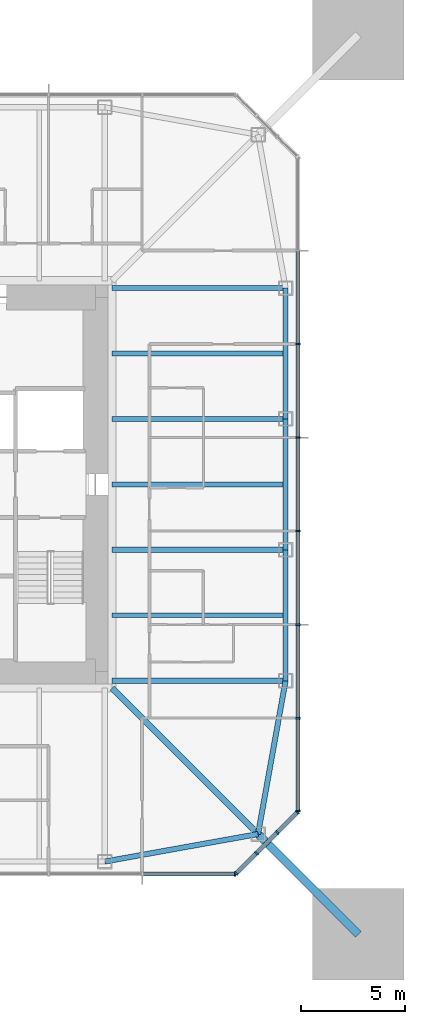
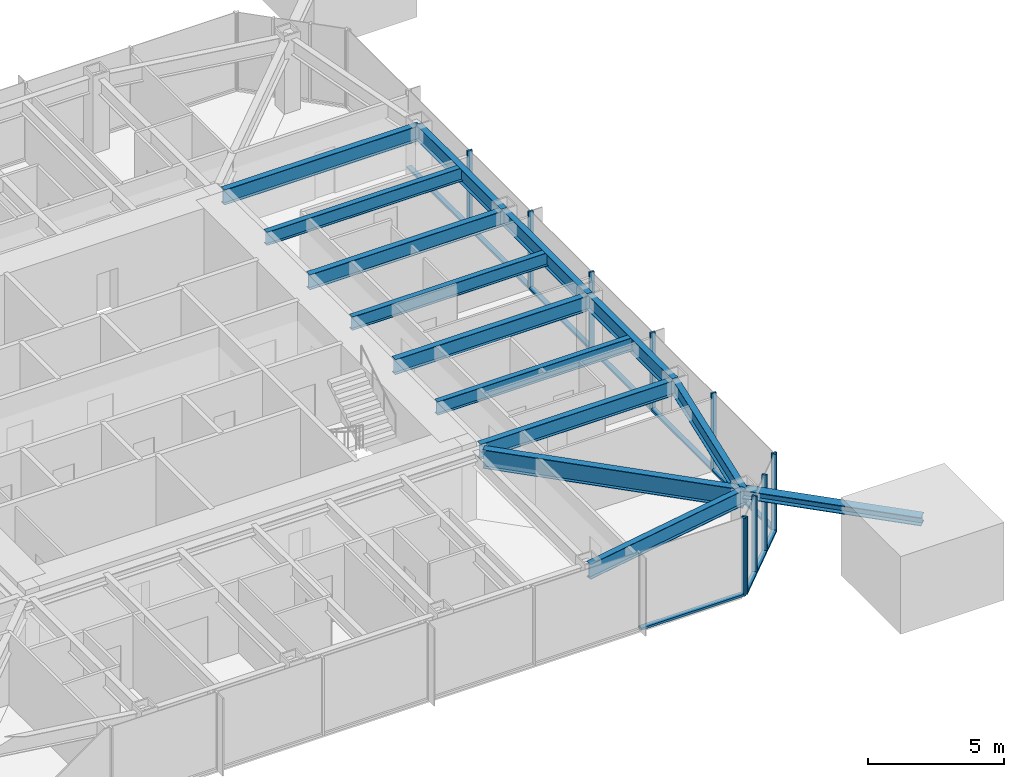
# One storey, part 3 of 12: 22 members, 13 beams, 3 elements without a shape of their own.
"""IFC4 building model written with IfcOpenShell, lengths in metres."""

from ifc_helpers import new_model, si_unit, direction, frame, origin, origin_2d, place, context, subcontext, project, spatial, rectangle, i_section, extrude, material, material_profile, profile_set, type_object, element, aggregate, save


model = new_model("IFC4")

# Units and contexts
model_context = context("Model", 3, precision=1e-05, world=origin(), true_north=direction((0.0, 1.0)))
body_context = subcontext(model_context, "Body", "Model", "MODEL_VIEW")
ifc_project = project(units=[si_unit("LENGTHUNIT", "METRE"), si_unit("AREAUNIT", "SQUARE_METRE"), si_unit("VOLUMEUNIT", "CUBIC_METRE"), si_unit("PLANEANGLEUNIT", "RADIAN"), si_unit("MASSUNIT", "GRAM", prefix="KILO")], contexts=[model_context])

# Site, building, storey
site_placement = place(None, origin())
site = spatial("IfcSite", under=ifc_project, at=site_placement, CompositionType="ELEMENT")
building_placement = place(site_placement, origin())
building = spatial("IfcBuilding", under=site, at=building_placement, Name="Iwan Alto Co-Living Towers", CompositionType="ELEMENT")
storey_placement = place(building_placement, frame((0.0, 0.0, 153.0)))
storey = spatial("IfcBuildingStorey", under=building, at=storey_placement, Name="L41", CompositionType="ELEMENT", Elevation=153.0)

# Curtain wall, member
ifc_material_1 = material(Name="Bronze aluminium unitised frame", Category="aluminium")
curtain_wall_type_1 = type_object("IfcCurtainWallType", Name="CURTAIN WALL CW-A", PredefinedType="NOTDEFINED", material=ifc_material_1)
curtain_wall_1_placement = place(storey_placement, origin())
curtain_wall_1 = element("IfcCurtainWall", 1, at=curtain_wall_1_placement, inside=storey, type_object=curtain_wall_type_1, Name="T1 curtain wall S L41", PredefinedType="NOTDEFINED")
ifc_material_2 = material(Name="Aluminium 6063-T6 bronze anodised", Category="aluminium")
ifc_material_profile_1 = material_profile(ifc_material_2, rectangle(XDim=0.199951171875, YDim=0.080078125, at=origin_2d()), Name="AL 80X200")
ifc_profile_set_1 = profile_set([ifc_material_profile_1], Name="Aluminium 6063-T6 bronze anodised")
member_type_1 = type_object("IfcMemberType", Name="CW-A MULLION 80X200", PredefinedType="MULLION", material=ifc_profile_set_1)
member_1_placement = place(storey_placement, frame((15.7099609375, -18.75, 0.0), z_axis=(0.0, 0.0, 1.0), x_axis=(0.0, 1.0, 0.0)))
member_1 = element("IfcMember", 2, at=member_1_placement, type_object=member_type_1, Name="CW-A mullion 8", PredefinedType="MULLION", context=body_context, shape_type="SweptSolid", body=[
    extrude(rectangle(XDim=0.199951171875, YDim=0.080078125, at=origin_2d()), origin(), (0.0, 0.0, 1.0), 3.5),
])

# Curtain wall, members
curtain_wall_2_placement = place(storey_placement, origin())
curtain_wall_2 = element("IfcCurtainWall", 3, at=curtain_wall_2_placement, inside=storey, type_object=curtain_wall_type_1, Name="T1 curtain wall E L41", PredefinedType="NOTDEFINED")
member_2_placement = place(storey_placement, frame((18.75, -15.7099609375, 0.0), z_axis=(0.0, 0.0, 1.0), x_axis=(-1.0, 0.0, 0.0)))
member_2 = element("IfcMember", 4, at=member_2_placement, type_object=member_type_1, Name="CW-A mullion 1", PredefinedType="MULLION", context=body_context, shape_type="SweptSolid", body=[
    extrude(rectangle(XDim=0.199951171875, YDim=0.080078125, at=origin_2d()), origin(), (0.0, 0.0, 1.0), 3.5),
])
member_3_placement = place(storey_placement, frame((18.75, -11.25, 0.0), z_axis=(0.0, 0.0, 1.0), x_axis=(-1.0, 0.0, 0.0)))
member_3 = element("IfcMember", 5, at=member_3_placement, type_object=member_type_1, Name="CW-A mullion 2", PredefinedType="MULLION", context=body_context, shape_type="SweptSolid", body=[
    extrude(rectangle(XDim=0.199951171875, YDim=0.080078125, at=origin_2d()), origin(), (0.0, 0.0, 1.0), 3.5),
])
member_4_placement = place(storey_placement, frame((18.75, -6.75, 0.0), z_axis=(0.0, 0.0, 1.0), x_axis=(-1.0, 0.0, 0.0)))
member_4 = element("IfcMember", 6, at=member_4_placement, type_object=member_type_1, Name="CW-A mullion 3", PredefinedType="MULLION", context=body_context, shape_type="SweptSolid", body=[
    extrude(rectangle(XDim=0.199951171875, YDim=0.080078125, at=origin_2d()), origin(), (0.0, 0.0, 1.0), 3.5),
])
member_5_placement = place(storey_placement, frame((18.75, -2.25, 0.0), z_axis=(0.0, 0.0, 1.0), x_axis=(-1.0, 0.0, 0.0)))
member_5 = element("IfcMember", 7, at=member_5_placement, type_object=member_type_1, Name="CW-A mullion 4", PredefinedType="MULLION", context=body_context, shape_type="SweptSolid", body=[
    extrude(rectangle(XDim=0.199951171875, YDim=0.080078125, at=origin_2d()), origin(), (0.0, 0.0, 1.0), 3.5),
])
member_6_placement = place(storey_placement, frame((18.75, 2.25, 0.0), z_axis=(0.0, 0.0, 1.0), x_axis=(-1.0, 0.0, 0.0)))
member_6 = element("IfcMember", 8, at=member_6_placement, type_object=member_type_1, Name="CW-A mullion 5", PredefinedType="MULLION", context=body_context, shape_type="SweptSolid", body=[
    extrude(rectangle(XDim=0.199951171875, YDim=0.080078125, at=origin_2d()), origin(), (0.0, 0.0, 1.0), 3.5),
])
member_7_placement = place(storey_placement, frame((18.75, 6.75, 0.0), z_axis=(0.0, 0.0, 1.0), x_axis=(-1.0, 0.0, 0.0)))
member_7 = element("IfcMember", 9, at=member_7_placement, type_object=member_type_1, Name="CW-A mullion 6", PredefinedType="MULLION", context=body_context, shape_type="SweptSolid", body=[
    extrude(rectangle(XDim=0.199951171875, YDim=0.080078125, at=origin_2d()), origin(), (0.0, 0.0, 1.0), 3.5),
])

# Member
ifc_material_3 = material(Name="Aluminium 6063-T6 bronze anodised", Category="aluminium")
ifc_material_profile_2 = material_profile(ifc_material_3, rectangle(XDim=0.199951171875, YDim=0.10009765625, at=origin_2d()), Name="AL 200X100")
ifc_profile_set_2 = profile_set([ifc_material_profile_2], Name="Aluminium 6063-T6 bronze anodised")
member_type_2 = type_object("IfcMemberType", Name="CW-A TRANSOM 200X100", PredefinedType="USERDEFINED", material=ifc_profile_set_2)
member_8_placement = place(storey_placement, frame((11.2900390625, -18.75, 0.050048828125), z_axis=(1.0, 0.0, 0.0), x_axis=(0.0, 1.0, 0.0)))
member_8 = element("IfcMember", 10, at=member_8_placement, type_object=member_type_2, Name="CW-A transom 7.1", ObjectType="TRANSOM", PredefinedType="USERDEFINED", context=body_context, shape_type="SweptSolid", body=[
    extrude(rectangle(XDim=0.199951171875, YDim=0.10009765625, at=origin_2d()), origin(), (0.0, 0.0, 1.0), 4.3798828125),
])

aggregate(curtain_wall_1, [member_1, member_8])

member_9_placement = place(storey_placement, frame((18.75, -15.669921875, 0.050048828125), z_axis=(0.0, 1.0, 0.0), x_axis=(-1.0, 0.0, 0.0)))
member_9 = element("IfcMember", 11, at=member_9_placement, type_object=member_type_2, Name="CW-A transom 1.1", ObjectType="TRANSOM", PredefinedType="USERDEFINED", context=body_context, shape_type="SweptSolid", body=[
    extrude(rectangle(XDim=0.199951171875, YDim=0.10009765625, at=origin_2d()), origin(), (0.0, 0.0, 1.0), 4.3798828125),
])

member_10_placement = place(storey_placement, frame((18.75, -11.2099609375, 0.050048828125), z_axis=(0.0, 1.0, 0.0), x_axis=(-1.0, 0.0, 0.0)))
member_10 = element("IfcMember", 12, at=member_10_placement, type_object=member_type_2, Name="CW-A transom 2.1", ObjectType="TRANSOM", PredefinedType="USERDEFINED", context=body_context, shape_type="SweptSolid", body=[
    extrude(rectangle(XDim=0.199951171875, YDim=0.10009765625, at=origin_2d()), origin(), (0.0, 0.0, 1.0), 4.419921875),
])

member_11_placement = place(storey_placement, frame((18.75, -6.7099609375, 0.050048828125), z_axis=(0.0, 1.0, 0.0), x_axis=(-1.0, 0.0, 0.0)))
member_11 = element("IfcMember", 13, at=member_11_placement, type_object=member_type_2, Name="CW-A transom 3.1", ObjectType="TRANSOM", PredefinedType="USERDEFINED", context=body_context, shape_type="SweptSolid", body=[
    extrude(rectangle(XDim=0.199951171875, YDim=0.10009765625, at=origin_2d()), origin(), (0.0, 0.0, 1.0), 4.419921875),
])

member_12_placement = place(storey_placement, frame((18.75, -2.2099609375, 0.050048828125), z_axis=(0.0, 1.0, 0.0), x_axis=(-1.0, 0.0, 0.0)))
member_12 = element("IfcMember", 14, at=member_12_placement, type_object=member_type_2, Name="CW-A transom 4.1", ObjectType="TRANSOM", PredefinedType="USERDEFINED", context=body_context, shape_type="SweptSolid", body=[
    extrude(rectangle(XDim=0.199951171875, YDim=0.10009765625, at=origin_2d()), origin(), (0.0, 0.0, 1.0), 4.419921875),
])

member_13_placement = place(storey_placement, frame((18.75, 2.2900390625, 0.050048828125), z_axis=(0.0, 1.0, 0.0), x_axis=(-1.0, 0.0, 0.0)))
member_13 = element("IfcMember", 15, at=member_13_placement, type_object=member_type_2, Name="CW-A transom 5.1", ObjectType="TRANSOM", PredefinedType="USERDEFINED", context=body_context, shape_type="SweptSolid", body=[
    extrude(rectangle(XDim=0.199951171875, YDim=0.10009765625, at=origin_2d()), origin(), (0.0, 0.0, 1.0), 4.419921875),
])

member_14_placement = place(storey_placement, frame((18.75, 6.7900390625, 0.050048828125), z_axis=(0.0, 1.0, 0.0), x_axis=(-1.0, 0.0, 0.0)))
member_14 = element("IfcMember", 16, at=member_14_placement, type_object=member_type_2, Name="CW-A transom 6.1", ObjectType="TRANSOM", PredefinedType="USERDEFINED", context=body_context, shape_type="SweptSolid", body=[
    extrude(rectangle(XDim=0.199951171875, YDim=0.10009765625, at=origin_2d()), origin(), (0.0, 0.0, 1.0), 4.419921875),
])

aggregate(curtain_wall_2, [member_2, member_3, member_4, member_5, member_6, member_7, member_9, member_10, member_11, member_12, member_13, member_14])

# Curtain wall, members
ifc_material_4 = material(Name="Bronze aluminium unitised frame", Category="aluminium")
curtain_wall_type_2 = type_object("IfcCurtainWallType", Name="CURTAIN WALL CW-B", PredefinedType="NOTDEFINED", material=ifc_material_4)
curtain_wall_3_placement = place(storey_placement, origin())
curtain_wall_3 = element("IfcCurtainWall", 17, at=curtain_wall_3_placement, inside=storey, type_object=curtain_wall_type_2, Name="T1 chamfer curtain wall SE L41", PredefinedType="NOTDEFINED")
ifc_material_5 = material(Name="Aluminium 6063-T6 bronze anodised", Category="aluminium")
ifc_material_profile_3 = material_profile(ifc_material_5, rectangle(XDim=0.199951171875, YDim=0.080078125, at=origin_2d()), Name="AL 80X200")
ifc_profile_set_3 = profile_set([ifc_material_profile_3], Name="Aluminium 6063-T6 bronze anodised")
member_type_3 = type_object("IfcMemberType", Name="CW-B MULLION 80X200", PredefinedType="MULLION", material=ifc_profile_set_3)
member_15_placement = place(storey_placement, frame((15.7783203125, -18.7216796875, 0.0), z_axis=(0.0, 0.0, 1.0), x_axis=(-0.707106781187, 0.707106781187, 0.0)))
member_15 = element("IfcMember", 18, at=member_15_placement, type_object=member_type_3, Name="CW-B mullion 1", PredefinedType="MULLION", context=body_context, shape_type="SweptSolid", body=[
    extrude(rectangle(XDim=0.199951171875, YDim=0.080078125, at=origin_2d()), origin(), (0.0, 0.0, 1.0), 3.5),
])
member_16_placement = place(storey_placement, frame((16.75, -17.75, 0.0), z_axis=(0.0, 0.0, 1.0), x_axis=(-0.707106781187, 0.707106781187, 0.0)))
member_16 = element("IfcMember", 19, at=member_16_placement, type_object=member_type_3, Name="CW-B mullion 2", PredefinedType="MULLION", context=body_context, shape_type="SweptSolid", body=[
    extrude(rectangle(XDim=0.199951171875, YDim=0.080078125, at=origin_2d()), origin(), (0.0, 0.0, 1.0), 3.5),
])
member_17_placement = place(storey_placement, frame((17.75, -16.75, 0.0), z_axis=(0.0, 0.0, 1.0), x_axis=(-0.707106781187, 0.707106781187, 0.0)))
member_17 = element("IfcMember", 20, at=member_17_placement, type_object=member_type_3, Name="CW-B mullion 3", PredefinedType="MULLION", context=body_context, shape_type="SweptSolid", body=[
    extrude(rectangle(XDim=0.199951171875, YDim=0.080078125, at=origin_2d()), origin(), (0.0, 0.0, 1.0), 3.5),
])
member_18_placement = place(storey_placement, frame((18.7216796875, -15.7783203125, 0.0), z_axis=(0.0, 0.0, 1.0), x_axis=(-0.707106781187, 0.707106781187, 0.0)))
member_18 = element("IfcMember", 21, at=member_18_placement, type_object=member_type_3, Name="CW-B mullion 4", PredefinedType="MULLION", context=body_context, shape_type="SweptSolid", body=[
    extrude(rectangle(XDim=0.199951171875, YDim=0.080078125, at=origin_2d()), origin(), (0.0, 0.0, 1.0), 3.5),
])
ifc_material_6 = material(Name="Aluminium 6063-T6 bronze anodised", Category="aluminium")
ifc_material_profile_4 = material_profile(ifc_material_6, rectangle(XDim=0.199951171875, YDim=0.10009765625, at=origin_2d()), Name="AL 200X100")
ifc_profile_set_4 = profile_set([ifc_material_profile_4], Name="Aluminium 6063-T6 bronze anodised")
member_type_4 = type_object("IfcMemberType", Name="CW-B TRANSOM 200X100", PredefinedType="USERDEFINED", material=ifc_profile_set_4)
member_19_placement = place(storey_placement, frame((15.806640625, -18.693359375, 0.050048828125), z_axis=(0.707106781187, 0.707106781187, 0.0), x_axis=(-0.707106781187, 0.707106781187, 0.0)))
member_19 = element("IfcMember", 22, at=member_19_placement, type_object=member_type_4, Name="CW-B transom 1.1", ObjectType="TRANSOM", PredefinedType="USERDEFINED", context=body_context, shape_type="SweptSolid", body=[
    extrude(rectangle(XDim=0.199951171875, YDim=0.10009765625, at=origin_2d()), origin(), (0.0, 0.0, 1.0), 1.2939453125),
])
member_20_placement = place(storey_placement, frame((16.7783203125, -17.7216796875, 0.050048828125), z_axis=(0.707106781187, 0.707106781187, 0.0), x_axis=(-0.707106781187, 0.707106781187, 0.0)))
member_20 = element("IfcMember", 23, at=member_20_placement, type_object=member_type_4, Name="CW-B transom 2.1", ObjectType="TRANSOM", PredefinedType="USERDEFINED", context=body_context, shape_type="SweptSolid", body=[
    extrude(rectangle(XDim=0.199951171875, YDim=0.10009765625, at=origin_2d()), origin(), (0.0, 0.0, 1.0), 1.334228515625),
])
member_21_placement = place(storey_placement, frame((17.7783203125, -16.7216796875, 0.050048828125), z_axis=(0.707106781187, 0.707106781187, 0.0), x_axis=(-0.707106781187, 0.707106781187, 0.0)))
member_21 = element("IfcMember", 24, at=member_21_placement, type_object=member_type_4, Name="CW-B transom 3.1", ObjectType="TRANSOM", PredefinedType="USERDEFINED", context=body_context, shape_type="SweptSolid", body=[
    extrude(rectangle(XDim=0.199951171875, YDim=0.10009765625, at=origin_2d()), origin(), (0.0, 0.0, 1.0), 1.2939453125),
])
aggregate(curtain_wall_3, [member_15, member_16, member_17, member_18, member_19, member_20, member_21])

# Beams
ifc_material_7 = material(Name="Steel ASTM A992 Gr 50", Category="steel")
ifc_material_profile_5 = material_profile(ifc_material_7, i_section(OverallWidth=0.2919921875, OverallDepth=0.8408203125, WebThickness=0.0146484375, FlangeThickness=0.021728515625, at=origin_2d()), Name="W33X130")
ifc_profile_set_5 = profile_set([ifc_material_profile_5], Name="Steel ASTM A992 Gr 50")
beam_type_1 = type_object("IfcBeamType", Name="T1 CORNER GIRDER W33X130", PredefinedType="BEAM", material=ifc_profile_set_5)
beam_1_placement = place(storey_placement, frame((16.82568359375, -16.82568359375, 2.849609375), z_axis=(-0.707106781187, 0.707106781187, 0.0), x_axis=(-0.707106781187, -0.707106781187, 0.0)))
element("IfcBeam", 25, at=beam_1_placement, inside=storey, type_object=beam_type_1, Name="T1 corner girder CSE L42", PredefinedType="BEAM", context=body_context, shape_type="SweptSolid", body=[
    extrude(i_section(OverallWidth=0.2919921875, OverallDepth=0.8408203125, WebThickness=0.0146484375, FlangeThickness=0.021728515625, at=origin_2d()), origin(), (0.0, 0.0, 1.0), 9.936767578125),
])
ifc_material_8 = material(Name="Steel ASTM A992 Gr 50", Category="steel")
ifc_material_profile_6 = material_profile(ifc_material_8, i_section(OverallWidth=0.25390625, OverallDepth=0.683349609375, WebThickness=0.012451171875, FlangeThickness=0.018798828125, at=origin_2d()), Name="W27X94")
ifc_profile_set_6 = profile_set([ifc_material_profile_6], Name="Steel ASTM A992 Gr 50")
beam_type_2 = type_object("IfcBeamType", Name="T1 EDGE BEAM W27X94", PredefinedType="BEAM", material=ifc_profile_set_6)
for number, where, z_axis, x_axis, name in (
    (26, (9.449951171875, -18.14990234375, 2.928466796875), (0.98426263553, 0.17671181143, 0.0), (-0.17671181143, 0.98426263553, 0.0), "T1 edge beam S4 L42"),
    (27, (16.82568359375, -16.82568359375, 2.928466796875), (0.17671181143, 0.98426263553, 0.0), (-0.98426263553, 0.17671181143, 0.0), "T1 edge beam CSE L42"),
):
    element("IfcBeam", number, at=place(storey_placement, frame(where, z_axis=z_axis, x_axis=x_axis)), inside=storey, type_object=beam_type_2, Name=name, PredefinedType="BEAM", context=body_context, shape_type="SweptSolid", body=[
        extrude(i_section(OverallWidth=0.25390625, OverallDepth=0.683349609375, WebThickness=0.012451171875, FlangeThickness=0.018798828125, at=origin_2d()), origin(), (0.0, 0.0, 1.0), 7.49365234375),
    ])
beam_2_placement = place(storey_placement, frame((18.14990234375, -9.449951171875, 2.928466796875), z_axis=(0.0, 1.0, 0.0), x_axis=(-1.0, 0.0, 0.0)))
element("IfcBeam", 28, at=beam_2_placement, inside=storey, type_object=beam_type_2, Name="T1 edge beam E1 L42", PredefinedType="BEAM", context=body_context, shape_type="SweptSolid", body=[
    extrude(i_section(OverallWidth=0.25390625, OverallDepth=0.683349609375, WebThickness=0.012451171875, FlangeThickness=0.018798828125, at=origin_2d()), origin(), (0.0, 0.0, 1.0), 6.300048828125),
])
beam_3_placement = place(storey_placement, frame((18.14990234375, -3.14990234375, 2.928466796875), z_axis=(0.0, 1.0, 0.0), x_axis=(-1.0, 0.0, 0.0)))
element("IfcBeam", 29, at=beam_3_placement, inside=storey, type_object=beam_type_2, Name="T1 edge beam E2 L42", PredefinedType="BEAM", context=body_context, shape_type="SweptSolid", body=[
    extrude(i_section(OverallWidth=0.25390625, OverallDepth=0.683349609375, WebThickness=0.012451171875, FlangeThickness=0.018798828125, at=origin_2d()), origin(), (0.0, 0.0, 1.0), 6.2998046875),
])
beam_4_placement = place(storey_placement, frame((18.14990234375, 3.14990234375, 2.928466796875), z_axis=(0.0, 1.0, 0.0), x_axis=(-1.0, 0.0, 0.0)))
element("IfcBeam", 30, at=beam_4_placement, inside=storey, type_object=beam_type_2, Name="T1 edge beam E3 L42", PredefinedType="BEAM", context=body_context, shape_type="SweptSolid", body=[
    extrude(i_section(OverallWidth=0.25390625, OverallDepth=0.683349609375, WebThickness=0.012451171875, FlangeThickness=0.018798828125, at=origin_2d()), origin(), (0.0, 0.0, 1.0), 6.300048828125),
])

# Member
ifc_material_9 = material(Name="Steel ASTM A992 Gr 50", Category="steel")
ifc_material_profile_7 = material_profile(ifc_material_9, i_section(OverallWidth=0.393798828125, OverallDepth=0.3759765625, WebThickness=0.017333984375, FlangeThickness=0.027587890625, at=origin_2d()), Name="W14X145")
ifc_profile_set_7 = profile_set([ifc_material_profile_7], Name="Steel ASTM A992 Gr 50")
member_type_5 = type_object("IfcMemberType", Name="T1 MEGA COLUMN FLOOR TIE W14X145", PredefinedType="STRUT", material=ifc_profile_set_7)
member_22_placement = place(storey_placement, frame((21.64990234375, -21.64990234375, 3.08203125), z_axis=(-0.707106781187, 0.707106781187, 0.0), x_axis=(-0.707106781187, -0.707106781187, 0.0)))
element("IfcMember", 31, at=member_22_placement, inside=storey, type_object=member_type_5, Name="T1 mega column floor tie SE L42", PredefinedType="STRUT", context=body_context, shape_type="SweptSolid", body=[
    extrude(i_section(OverallWidth=0.393798828125, OverallDepth=0.3759765625, WebThickness=0.017333984375, FlangeThickness=0.027587890625, at=origin_2d()), origin(), (0.0, 0.0, 1.0), 6.822509765625),
])

# Beams
ifc_material_10 = material(Name="Steel ASTM A992 Gr 50", Category="steel")
ifc_material_profile_8 = material_profile(ifc_material_10, i_section(OverallWidth=0.25390625, OverallDepth=0.683349609375, WebThickness=0.012451171875, FlangeThickness=0.018798828125, at=origin_2d()), Name="W27X94")
ifc_profile_set_8 = profile_set([ifc_material_profile_8], Name="Steel ASTM A992 Gr 50")
beam_type_3 = type_object("IfcBeamType", Name="T1 RADIAL BEAM W27X94", PredefinedType="BEAM", material=ifc_profile_set_8)
for number, where, z_axis, x_axis, name in (
    (32, (18.14990234375, -9.449951171875, 2.928466796875), (-1.0, 0.0, 0.0), (0.0, -1.0, 0.0), "T1 radial beam E1 L42"),
    (33, (18.14990234375, -3.14990234375, 2.928466796875), (-1.0, 0.0, 0.0), (0.0, -1.0, 0.0), "T1 radial beam E2 L42"),
    (34, (18.14990234375, 3.14990234375, 2.928466796875), (-1.0, 0.0, 0.0), (0.0, -1.0, 0.0), "T1 radial beam E3 L42"),
    (35, (18.14990234375, 9.449951171875, 2.928466796875), (-1.0, 0.0, 0.0), (0.0, -1.0, 0.0), "T1 radial beam E4 L42"),
):
    element("IfcBeam", number, at=place(storey_placement, frame(where, z_axis=z_axis, x_axis=x_axis)), inside=storey, type_object=beam_type_3, Name=name, PredefinedType="BEAM", context=body_context, shape_type="SweptSolid", body=[
        extrude(i_section(OverallWidth=0.25390625, OverallDepth=0.683349609375, WebThickness=0.012451171875, FlangeThickness=0.018798828125, at=origin_2d()), origin(), (0.0, 0.0, 1.0), 8.3505859375),
    ])
ifc_material_11 = material(Name="Steel ASTM A992 Gr 50", Category="steel")
ifc_material_profile_9 = material_profile(ifc_material_11, i_section(OverallWidth=0.228271484375, OverallDepth=0.607177734375, WebThickness=0.01123046875, FlangeThickness=0.017333984375, at=origin_2d()), Name="W24X76")
ifc_profile_set_9 = profile_set([ifc_material_profile_9], Name="Steel ASTM A992 Gr 50")
beam_type_4 = type_object("IfcBeamType", Name="T1 SECONDARY BEAM W24X76", PredefinedType="JOIST", material=ifc_profile_set_9)
for number, where, z_axis, x_axis, name in (
    (36, (18.14990234375, -6.300048828125, 2.966552734375), (-1.0, 0.0, 0.0), (0.0, -1.0, 0.0), "T1 secondary beam E1 L42"),
    (37, (18.14990234375, 0.0, 2.966552734375), (-1.0, 0.0, 0.0), (0.0, -1.0, 0.0), "T1 secondary beam E2 L42"),
    (38, (18.14990234375, 6.300048828125, 2.966552734375), (-1.0, 0.0, 0.0), (0.0, -1.0, 0.0), "T1 secondary beam E3 L42"),
):
    element("IfcBeam", number, at=place(storey_placement, frame(where, z_axis=z_axis, x_axis=x_axis)), inside=storey, type_object=beam_type_4, Name=name, PredefinedType="JOIST", context=body_context, shape_type="SweptSolid", body=[
        extrude(i_section(OverallWidth=0.228271484375, OverallDepth=0.607177734375, WebThickness=0.01123046875, FlangeThickness=0.017333984375, at=origin_2d()), origin(), (0.0, 0.0, 1.0), 8.3505859375),
    ])

save(model, "model.ifc")
